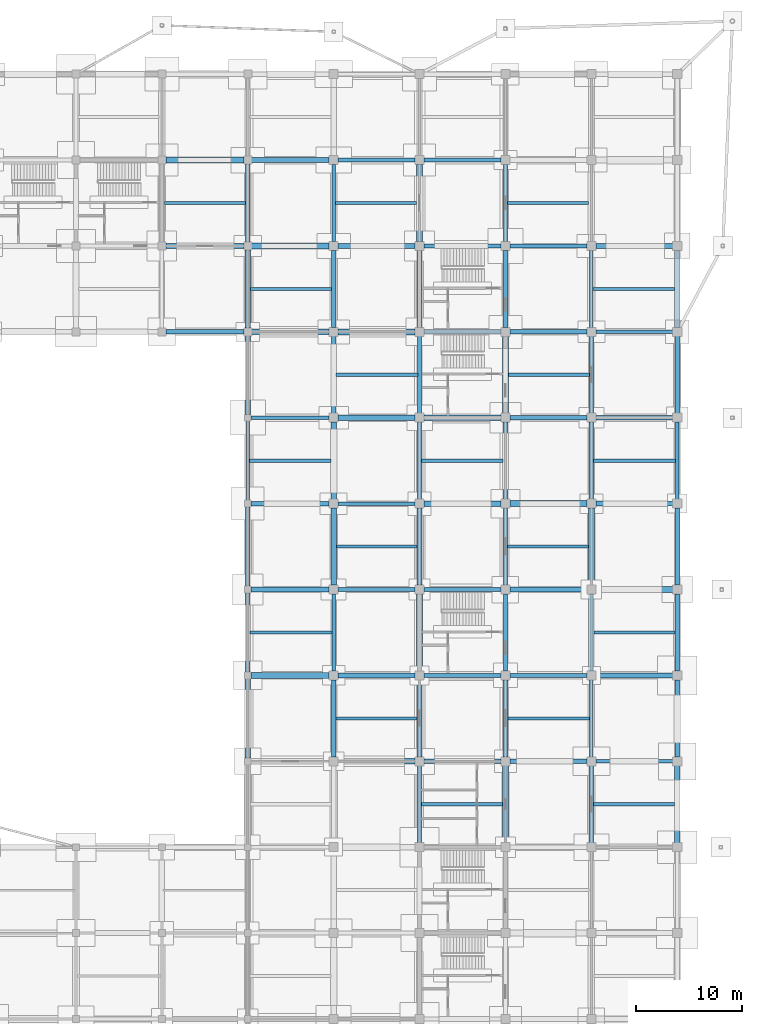
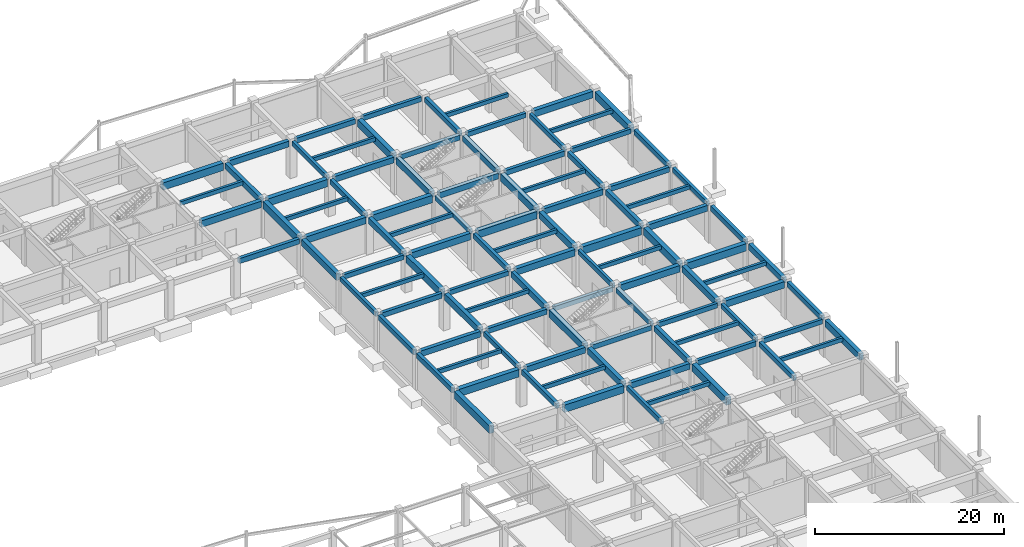
# One storey, part 41 of 67: 102 beams.
"""IFC4 building model written with IfcOpenShell, lengths in metres."""

from ifc_helpers import new_model, si_unit, direction, frame, origin, origin_2d, place, context, subcontext, project, spatial, rectangle, extrude, material, material_profile, profile_set, type_object, element, save


model = new_model("IFC4")

# Units and contexts
model_context = context("Model", 3, precision=1e-05, world=origin(), true_north=direction((0.0, 1.0)))
body_context = subcontext(model_context, "Body", "Model", "MODEL_VIEW")
ifc_project = project(units=[si_unit("LENGTHUNIT", "METRE"), si_unit("AREAUNIT", "SQUARE_METRE"), si_unit("VOLUMEUNIT", "CUBIC_METRE"), si_unit("PLANEANGLEUNIT", "RADIAN"), si_unit("MASSUNIT", "GRAM", prefix="KILO")], contexts=[model_context])

# Site, building, storey
site_placement = place(None, origin())
site = spatial("IfcSite", under=ifc_project, at=site_placement, CompositionType="ELEMENT")
building_placement = place(site_placement, origin())
building = spatial("IfcBuilding", under=site, at=building_placement, Name="Vaudrelin Polytechnic", CompositionType="ELEMENT")
storey_placement = place(building_placement, frame((0.0, 0.0, -5.10009765625)))
storey = spatial("IfcBuildingStorey", under=building, at=storey_placement, Name="B1", CompositionType="ELEMENT", Elevation=-5.10009765625)

# Beams
ifc_material_1 = material(Name="Concrete 40 MPa", Category="concrete")
ifc_material_profile_1 = material_profile(ifc_material_1, rectangle(XDim=0.35009765625, YDim=0.60009765625, at=origin_2d()), Name="RC350x600")
ifc_profile_set_1 = profile_set([ifc_material_profile_1], Name="Concrete 40 MPa")
beam_type_1 = type_object("IfcBeamType", Name="BM-BM-RC3560", PredefinedType="BEAM", material=ifc_profile_set_1)
beam_1_placement = place(storey_placement, frame((129.60009765625, 81.31005859375, 4.47998046875), z_axis=(0.0, 1.0, 0.0), x_axis=(-1.0, 0.0, 0.0)))
element("IfcBeam", 1, at=beam_1_placement, inside=storey, type_object=beam_type_1, Name="B1 Y-beam 17-11", PredefinedType="BEAM", context=body_context, shape_type="SweptSolid", body=[
    extrude(rectangle(XDim=0.35009765625, YDim=0.60009765625, at=origin_2d()), origin(), (0.0, 0.0, 1.0), 7.47998046875),
])
for number, where, z_axis, x_axis, name in (
    (2, (137.699951171875, 65.2099609375, 4.47998046875), (0.0, 1.0, 0.0), (-1.0, 0.0, 0.0), "B1 Y-beam 18-9"),
    (3, (137.699951171875, 105.7099609375, 4.47998046875), (0.0, 1.0, 0.0), (-1.0, 0.0, 0.0), "B1 Y-beam 18-14"),
    (4, (145.800048828125, 49.010009765625, 4.47998046875), (0.0, 1.0, 0.0), (-1.0, 0.0, 0.0), "B1 Y-beam 19-7"),
    (5, (145.800048828125, 89.510009765625, 4.47998046875), (0.0, 1.0, 0.0), (-1.0, 0.0, 0.0), "B1 Y-beam 19-12"),
    (6, (153.89990234375, 73.31005859375, 4.47998046875), (0.0, 1.0, 0.0), (-1.0, 0.0, 0.0), "B1 Y-beam 20-10"),
):
    element("IfcBeam", number, at=place(storey_placement, frame(where, z_axis=z_axis, x_axis=x_axis)), inside=storey, type_object=beam_type_1, Name=name, PredefinedType="BEAM", context=body_context, shape_type="SweptSolid", body=[
        extrude(rectangle(XDim=0.35009765625, YDim=0.60009765625, at=origin_2d()), origin(), (0.0, 0.0, 1.0), 7.280029296875),
    ])
for number, where, z_axis, x_axis, name in (
    (7, (162.0, 57.110107421875, 4.47998046875), (0.0, 1.0, 0.0), (-1.0, 0.0, 0.0), "B1 Y-beam 21-8"),
    (8, (162.0, 97.610107421875, 4.47998046875), (0.0, 1.0, 0.0), (-1.0, 0.0, 0.0), "B1 Y-beam 21-13"),
):
    element("IfcBeam", number, at=place(storey_placement, frame(where, z_axis=z_axis, x_axis=x_axis)), inside=storey, type_object=beam_type_1, Name=name, PredefinedType="BEAM", context=body_context, shape_type="SweptSolid", body=[
        extrude(rectangle(XDim=0.35009765625, YDim=0.60009765625, at=origin_2d()), origin(), (0.0, 0.0, 1.0), 7.27978515625),
    ])
beam_2_placement = place(storey_placement, frame((170.10009765625, 81.409912109375, 4.47998046875), z_axis=(0.0, 1.0, 0.0), x_axis=(-1.0, 0.0, 0.0)))
element("IfcBeam", 9, at=beam_2_placement, inside=storey, type_object=beam_type_1, Name="B1 Y-beam 22-11", PredefinedType="BEAM", context=body_context, shape_type="SweptSolid", body=[
    extrude(rectangle(XDim=0.35009765625, YDim=0.60009765625, at=origin_2d()), origin(), (0.0, 0.0, 1.0), 7.280029296875),
])
beam_3_placement = place(storey_placement, frame((129.9208984375, 89.10009765625, 4.47998046875), z_axis=(1.0, 0.0, 0.0), x_axis=(0.0, 1.0, 0.0)))
element("IfcBeam", 10, at=beam_3_placement, inside=storey, type_object=beam_type_1, Name="B1 X-beam 17-12", PredefinedType="BEAM", context=body_context, shape_type="SweptSolid", body=[
    extrude(rectangle(XDim=0.35009765625, YDim=0.60009765625, at=origin_2d()), origin(), (0.0, 0.0, 1.0), 7.358154296875),
])
beam_4_placement = place(storey_placement, frame((138.12109375, 81.0, 4.47998046875), z_axis=(1.0, 0.0, 0.0), x_axis=(0.0, 1.0, 0.0)))
element("IfcBeam", 11, at=beam_4_placement, inside=storey, type_object=beam_type_1, Name="B1 X-beam 18-11", PredefinedType="BEAM", context=body_context, shape_type="SweptSolid", body=[
    extrude(rectangle(XDim=0.35009765625, YDim=0.60009765625, at=origin_2d()), origin(), (0.0, 0.0, 1.0), 7.2578125),
])
for number, where, z_axis, x_axis, name in (
    (12, (146.220947265625, 72.89990234375, 4.47998046875), (1.0, 0.0, 0.0), (0.0, 1.0, 0.0), "B1 X-beam 19-10"),
    (13, (146.220947265625, 113.39990234375, 4.47998046875), (1.0, 0.0, 0.0), (0.0, 1.0, 0.0), "B1 X-beam 19-15"),
    (14, (154.321044921875, 64.800048828125, 4.47998046875), (1.0, 0.0, 0.0), (0.0, 1.0, 0.0), "B1 X-beam 20-9"),
    (15, (154.321044921875, 105.300048828125, 4.47998046875), (1.0, 0.0, 0.0), (0.0, 1.0, 0.0), "B1 X-beam 20-14"),
    (16, (162.4208984375, 56.699951171875, 4.47998046875), (1.0, 0.0, 0.0), (0.0, 1.0, 0.0), "B1 X-beam 21-8"),
    (17, (162.4208984375, 97.199951171875, 4.47998046875), (1.0, 0.0, 0.0), (0.0, 1.0, 0.0), "B1 X-beam 21-13"),
):
    element("IfcBeam", number, at=place(storey_placement, frame(where, z_axis=z_axis, x_axis=x_axis)), inside=storey, type_object=beam_type_1, Name=name, PredefinedType="BEAM", context=body_context, shape_type="SweptSolid", body=[
        extrude(rectangle(XDim=0.35009765625, YDim=0.60009765625, at=origin_2d()), origin(), (0.0, 0.0, 1.0), 7.258056640625),
    ])
ifc_material_profile_2 = material_profile(ifc_material_1, rectangle(XDim=0.39990234375, YDim=0.64990234375, at=origin_2d()), Name="RC400x650")
ifc_profile_set_2 = profile_set([ifc_material_profile_2], Name="Concrete 40 MPa")
beam_type_2 = type_object("IfcBeamType", Name="BM-BM-RC4065", PredefinedType="BEAM", material=ifc_profile_set_2)
beam_5_placement = place(storey_placement, frame((129.60009765625, 73.2099609375, 4.455078125), z_axis=(0.0, 1.0, 0.0), x_axis=(-1.0, 0.0, 0.0)))
element("IfcBeam", 18, at=beam_5_placement, inside=storey, type_object=beam_type_2, Name="B1 Y-beam 17-10", PredefinedType="BEAM", context=body_context, shape_type="SweptSolid", body=[
    extrude(rectangle(XDim=0.39990234375, YDim=0.64990234375, at=origin_2d()), origin(), (0.0, 0.0, 1.0), 7.47998046875),
])
for number, where, z_axis, x_axis, name in (
    (19, (137.699951171875, 57.110107421875, 4.455078125), (0.0, 1.0, 0.0), (-1.0, 0.0, 0.0), "B1 Y-beam 18-8"),
    (20, (137.699951171875, 97.610107421875, 4.455078125), (0.0, 1.0, 0.0), (-1.0, 0.0, 0.0), "B1 Y-beam 18-13"),
):
    element("IfcBeam", number, at=place(storey_placement, frame(where, z_axis=z_axis, x_axis=x_axis)), inside=storey, type_object=beam_type_2, Name=name, PredefinedType="BEAM", context=body_context, shape_type="SweptSolid", body=[
        extrude(rectangle(XDim=0.39990234375, YDim=0.64990234375, at=origin_2d()), origin(), (0.0, 0.0, 1.0), 7.27978515625),
    ])
for number, where, z_axis, x_axis, name in (
    (21, (145.800048828125, 81.409912109375, 4.455078125), (0.0, 1.0, 0.0), (-1.0, 0.0, 0.0), "B1 Y-beam 19-11"),
    (22, (153.89990234375, 65.2099609375, 4.455078125), (0.0, 1.0, 0.0), (-1.0, 0.0, 0.0), "B1 Y-beam 20-9"),
    (23, (153.89990234375, 105.7099609375, 4.455078125), (0.0, 1.0, 0.0), (-1.0, 0.0, 0.0), "B1 Y-beam 20-14"),
    (24, (162.0, 49.010009765625, 4.455078125), (0.0, 1.0, 0.0), (-1.0, 0.0, 0.0), "B1 Y-beam 21-7"),
    (25, (162.0, 89.510009765625, 4.455078125), (0.0, 1.0, 0.0), (-1.0, 0.0, 0.0), "B1 Y-beam 21-12"),
    (26, (170.10009765625, 73.31005859375, 4.455078125), (0.0, 1.0, 0.0), (-1.0, 0.0, 0.0), "B1 Y-beam 22-10"),
):
    element("IfcBeam", number, at=place(storey_placement, frame(where, z_axis=z_axis, x_axis=x_axis)), inside=storey, type_object=beam_type_2, Name=name, PredefinedType="BEAM", context=body_context, shape_type="SweptSolid", body=[
        extrude(rectangle(XDim=0.39990234375, YDim=0.64990234375, at=origin_2d()), origin(), (0.0, 0.0, 1.0), 7.280029296875),
    ])
beam_6_placement = place(storey_placement, frame((129.9208984375, 81.0, 4.455078125), z_axis=(1.0, 0.0, 0.0), x_axis=(0.0, 1.0, 0.0)))
element("IfcBeam", 27, at=beam_6_placement, inside=storey, type_object=beam_type_2, Name="B1 X-beam 17-11", PredefinedType="BEAM", context=body_context, shape_type="SweptSolid", body=[
    extrude(rectangle(XDim=0.39990234375, YDim=0.64990234375, at=origin_2d()), origin(), (0.0, 0.0, 1.0), 7.358154296875),
])
for number, where, z_axis, x_axis, name in (
    (28, (138.12109375, 72.89990234375, 4.455078125), (1.0, 0.0, 0.0), (0.0, 1.0, 0.0), "B1 X-beam 18-10"),
    (29, (138.12109375, 113.39990234375, 4.455078125), (1.0, 0.0, 0.0), (0.0, 1.0, 0.0), "B1 X-beam 18-15"),
):
    element("IfcBeam", number, at=place(storey_placement, frame(where, z_axis=z_axis, x_axis=x_axis)), inside=storey, type_object=beam_type_2, Name=name, PredefinedType="BEAM", context=body_context, shape_type="SweptSolid", body=[
        extrude(rectangle(XDim=0.39990234375, YDim=0.64990234375, at=origin_2d()), origin(), (0.0, 0.0, 1.0), 7.2578125),
    ])
for number, where, z_axis, x_axis, name in (
    (30, (146.220947265625, 64.800048828125, 4.455078125), (1.0, 0.0, 0.0), (0.0, 1.0, 0.0), "B1 X-beam 19-9"),
    (31, (146.220947265625, 105.300048828125, 4.455078125), (1.0, 0.0, 0.0), (0.0, 1.0, 0.0), "B1 X-beam 19-14"),
    (32, (154.321044921875, 56.699951171875, 4.455078125), (1.0, 0.0, 0.0), (0.0, 1.0, 0.0), "B1 X-beam 20-8"),
    (33, (154.321044921875, 97.199951171875, 4.455078125), (1.0, 0.0, 0.0), (0.0, 1.0, 0.0), "B1 X-beam 20-13"),
    (34, (162.4208984375, 89.10009765625, 4.455078125), (1.0, 0.0, 0.0), (0.0, 1.0, 0.0), "B1 X-beam 21-12"),
):
    element("IfcBeam", number, at=place(storey_placement, frame(where, z_axis=z_axis, x_axis=x_axis)), inside=storey, type_object=beam_type_2, Name=name, PredefinedType="BEAM", context=body_context, shape_type="SweptSolid", body=[
        extrude(rectangle(XDim=0.39990234375, YDim=0.64990234375, at=origin_2d()), origin(), (0.0, 0.0, 1.0), 7.258056640625),
    ])
ifc_material_profile_3 = material_profile(ifc_material_1, rectangle(XDim=0.449951171875, YDim=0.75, at=origin_2d()), Name="RC450x750")
ifc_profile_set_3 = profile_set([ifc_material_profile_3], Name="Concrete 40 MPa")
beam_type_3 = type_object("IfcBeamType", Name="BM-BM-RC4575", PredefinedType="BEAM", material=ifc_profile_set_3)
beam_7_placement = place(storey_placement, frame((129.60009765625, 105.659912109375, 4.405029296875), z_axis=(0.0, 1.0, 0.0), x_axis=(-1.0, 0.0, 0.0)))
element("IfcBeam", 35, at=beam_7_placement, inside=storey, type_object=beam_type_3, Name="B1 Y-beam 17-14", PredefinedType="BEAM", context=body_context, shape_type="SweptSolid", body=[
    extrude(rectangle(XDim=0.449951171875, YDim=0.75, at=origin_2d()), origin(), (0.0, 0.0, 1.0), 7.380126953125),
])
for number, where, z_axis, x_axis, name in (
    (36, (137.699951171875, 89.510009765625, 4.405029296875), (0.0, 1.0, 0.0), (-1.0, 0.0, 0.0), "B1 Y-beam 18-12"),
    (37, (145.800048828125, 73.31005859375, 4.405029296875), (0.0, 1.0, 0.0), (-1.0, 0.0, 0.0), "B1 Y-beam 19-10"),
):
    element("IfcBeam", number, at=place(storey_placement, frame(where, z_axis=z_axis, x_axis=x_axis)), inside=storey, type_object=beam_type_3, Name=name, PredefinedType="BEAM", context=body_context, shape_type="SweptSolid", body=[
        extrude(rectangle(XDim=0.449951171875, YDim=0.75, at=origin_2d()), origin(), (0.0, 0.0, 1.0), 7.280029296875),
    ])
for number, where, z_axis, x_axis, name in (
    (38, (153.89990234375, 57.110107421875, 4.405029296875), (0.0, 1.0, 0.0), (-1.0, 0.0, 0.0), "B1 Y-beam 20-8"),
    (39, (153.89990234375, 97.610107421875, 4.405029296875), (0.0, 1.0, 0.0), (-1.0, 0.0, 0.0), "B1 Y-beam 20-13"),
):
    element("IfcBeam", number, at=place(storey_placement, frame(where, z_axis=z_axis, x_axis=x_axis)), inside=storey, type_object=beam_type_3, Name=name, PredefinedType="BEAM", context=body_context, shape_type="SweptSolid", body=[
        extrude(rectangle(XDim=0.449951171875, YDim=0.75, at=origin_2d()), origin(), (0.0, 0.0, 1.0), 7.27978515625),
    ])
for number, where, z_axis, x_axis, name in (
    (40, (162.0, 81.409912109375, 4.405029296875), (0.0, 1.0, 0.0), (-1.0, 0.0, 0.0), "B1 Y-beam 21-11"),
    (41, (170.10009765625, 65.2099609375, 4.405029296875), (0.0, 1.0, 0.0), (-1.0, 0.0, 0.0), "B1 Y-beam 22-9"),
):
    element("IfcBeam", number, at=place(storey_placement, frame(where, z_axis=z_axis, x_axis=x_axis)), inside=storey, type_object=beam_type_3, Name=name, PredefinedType="BEAM", context=body_context, shape_type="SweptSolid", body=[
        extrude(rectangle(XDim=0.449951171875, YDim=0.75, at=origin_2d()), origin(), (0.0, 0.0, 1.0), 7.280029296875),
    ])
beam_8_placement = place(storey_placement, frame((129.9208984375, 72.89990234375, 4.405029296875), z_axis=(1.0, 0.0, 0.0), x_axis=(0.0, 1.0, 0.0)))
element("IfcBeam", 42, at=beam_8_placement, inside=storey, type_object=beam_type_3, Name="B1 X-beam 17-10", PredefinedType="BEAM", context=body_context, shape_type="SweptSolid", body=[
    extrude(rectangle(XDim=0.449951171875, YDim=0.75, at=origin_2d()), origin(), (0.0, 0.0, 1.0), 7.358154296875),
])
beam_9_placement = place(storey_placement, frame((129.970947265625, 113.39990234375, 4.405029296875), z_axis=(1.0, 0.0, 0.0), x_axis=(0.0, 1.0, 0.0)))
element("IfcBeam", 43, at=beam_9_placement, inside=storey, type_object=beam_type_3, Name="B1 X-beam 17-15", PredefinedType="BEAM", context=body_context, shape_type="SweptSolid", body=[
    extrude(rectangle(XDim=0.449951171875, YDim=0.75, at=origin_2d()), origin(), (0.0, 0.0, 1.0), 7.30810546875),
])
for number, where, z_axis, x_axis, name in (
    (44, (138.12109375, 64.800048828125, 4.405029296875), (1.0, 0.0, 0.0), (0.0, 1.0, 0.0), "B1 X-beam 18-9"),
    (45, (138.12109375, 105.300048828125, 4.405029296875), (1.0, 0.0, 0.0), (0.0, 1.0, 0.0), "B1 X-beam 18-14"),
):
    element("IfcBeam", number, at=place(storey_placement, frame(where, z_axis=z_axis, x_axis=x_axis)), inside=storey, type_object=beam_type_3, Name=name, PredefinedType="BEAM", context=body_context, shape_type="SweptSolid", body=[
        extrude(rectangle(XDim=0.449951171875, YDim=0.75, at=origin_2d()), origin(), (0.0, 0.0, 1.0), 7.2578125),
    ])
for number, where, z_axis, x_axis, name in (
    (46, (146.220947265625, 56.699951171875, 4.405029296875), (1.0, 0.0, 0.0), (0.0, 1.0, 0.0), "B1 X-beam 19-8"),
    (47, (146.220947265625, 97.199951171875, 4.405029296875), (1.0, 0.0, 0.0), (0.0, 1.0, 0.0), "B1 X-beam 19-13"),
    (48, (154.321044921875, 89.10009765625, 4.405029296875), (1.0, 0.0, 0.0), (0.0, 1.0, 0.0), "B1 X-beam 20-12"),
    (49, (162.4208984375, 81.0, 4.405029296875), (1.0, 0.0, 0.0), (0.0, 1.0, 0.0), "B1 X-beam 21-11"),
):
    element("IfcBeam", number, at=place(storey_placement, frame(where, z_axis=z_axis, x_axis=x_axis)), inside=storey, type_object=beam_type_3, Name=name, PredefinedType="BEAM", context=body_context, shape_type="SweptSolid", body=[
        extrude(rectangle(XDim=0.449951171875, YDim=0.75, at=origin_2d()), origin(), (0.0, 0.0, 1.0), 7.258056640625),
    ])
ifc_material_profile_4 = material_profile(ifc_material_1, rectangle(XDim=0.5, YDim=0.85009765625, at=origin_2d()), Name="RC500x850")
ifc_profile_set_4 = profile_set([ifc_material_profile_4], Name="Concrete 40 MPa")
beam_type_4 = type_object("IfcBeamType", Name="BM-BM-RC5085", PredefinedType="BEAM", material=ifc_profile_set_4)
beam_10_placement = place(storey_placement, frame((129.60009765625, 89.409912109375, 4.35498046875), z_axis=(0.0, 1.0, 0.0), x_axis=(-1.0, 0.0, 0.0)))
element("IfcBeam", 50, at=beam_10_placement, inside=storey, type_object=beam_type_4, Name="B1 Y-beam 17-12", PredefinedType="BEAM", context=body_context, shape_type="SweptSolid", body=[
    extrude(rectangle(XDim=0.5, YDim=0.85009765625, at=origin_2d()), origin(), (0.0, 0.0, 1.0), 7.43017578125),
])
beam_11_placement = place(storey_placement, frame((137.699951171875, 73.31005859375, 4.35498046875), z_axis=(0.0, 1.0, 0.0), x_axis=(-1.0, 0.0, 0.0)))
element("IfcBeam", 51, at=beam_11_placement, inside=storey, type_object=beam_type_4, Name="B1 Y-beam 18-10", PredefinedType="BEAM", context=body_context, shape_type="SweptSolid", body=[
    extrude(rectangle(XDim=0.5, YDim=0.85009765625, at=origin_2d()), origin(), (0.0, 0.0, 1.0), 7.280029296875),
])
for number, where, z_axis, x_axis, name in (
    (52, (145.800048828125, 57.110107421875, 4.35498046875), (0.0, 1.0, 0.0), (-1.0, 0.0, 0.0), "B1 Y-beam 19-8"),
    (53, (145.800048828125, 97.610107421875, 4.35498046875), (0.0, 1.0, 0.0), (-1.0, 0.0, 0.0), "B1 Y-beam 19-13"),
):
    element("IfcBeam", number, at=place(storey_placement, frame(where, z_axis=z_axis, x_axis=x_axis)), inside=storey, type_object=beam_type_4, Name=name, PredefinedType="BEAM", context=body_context, shape_type="SweptSolid", body=[
        extrude(rectangle(XDim=0.5, YDim=0.85009765625, at=origin_2d()), origin(), (0.0, 0.0, 1.0), 7.27978515625),
    ])
for number, where, z_axis, x_axis, name in (
    (54, (153.89990234375, 81.409912109375, 4.35498046875), (0.0, 1.0, 0.0), (-1.0, 0.0, 0.0), "B1 Y-beam 20-11"),
    (55, (162.0, 65.2099609375, 4.35498046875), (0.0, 1.0, 0.0), (-1.0, 0.0, 0.0), "B1 Y-beam 21-9"),
    (56, (170.10009765625, 49.010009765625, 4.35498046875), (0.0, 1.0, 0.0), (-1.0, 0.0, 0.0), "B1 Y-beam 22-7"),
):
    element("IfcBeam", number, at=place(storey_placement, frame(where, z_axis=z_axis, x_axis=x_axis)), inside=storey, type_object=beam_type_4, Name=name, PredefinedType="BEAM", context=body_context, shape_type="SweptSolid", body=[
        extrude(rectangle(XDim=0.5, YDim=0.85009765625, at=origin_2d()), origin(), (0.0, 0.0, 1.0), 7.280029296875),
    ])
beam_12_placement = place(storey_placement, frame((121.87109375, 105.300048828125, 4.35498046875), z_axis=(1.0, 0.0, 0.0), x_axis=(0.0, 1.0, 0.0)))
element("IfcBeam", 57, at=beam_12_placement, inside=storey, type_object=beam_type_4, Name="B1 X-beam 16-14", PredefinedType="BEAM", context=body_context, shape_type="SweptSolid", body=[
    extrude(rectangle(XDim=0.5, YDim=0.85009765625, at=origin_2d()), origin(), (0.0, 0.0, 1.0), 7.35791015625),
])
beam_13_placement = place(storey_placement, frame((129.970947265625, 97.199951171875, 4.35498046875), z_axis=(1.0, 0.0, 0.0), x_axis=(0.0, 1.0, 0.0)))
element("IfcBeam", 58, at=beam_13_placement, inside=storey, type_object=beam_type_4, Name="B1 X-beam 17-13", PredefinedType="BEAM", context=body_context, shape_type="SweptSolid", body=[
    extrude(rectangle(XDim=0.5, YDim=0.85009765625, at=origin_2d()), origin(), (0.0, 0.0, 1.0), 7.30810546875),
])
beam_14_placement = place(storey_placement, frame((138.12109375, 89.10009765625, 4.35498046875), z_axis=(1.0, 0.0, 0.0), x_axis=(0.0, 1.0, 0.0)))
element("IfcBeam", 59, at=beam_14_placement, inside=storey, type_object=beam_type_4, Name="B1 X-beam 18-12", PredefinedType="BEAM", context=body_context, shape_type="SweptSolid", body=[
    extrude(rectangle(XDim=0.5, YDim=0.85009765625, at=origin_2d()), origin(), (0.0, 0.0, 1.0), 7.2578125),
])
for number, where, z_axis, x_axis, name in (
    (60, (146.220947265625, 81.0, 4.35498046875), (1.0, 0.0, 0.0), (0.0, 1.0, 0.0), "B1 X-beam 19-11"),
    (61, (154.321044921875, 72.89990234375, 4.35498046875), (1.0, 0.0, 0.0), (0.0, 1.0, 0.0), "B1 X-beam 20-10"),
    (62, (162.4208984375, 64.800048828125, 4.35498046875), (1.0, 0.0, 0.0), (0.0, 1.0, 0.0), "B1 X-beam 21-9"),
    (63, (162.4208984375, 105.300048828125, 4.35498046875), (1.0, 0.0, 0.0), (0.0, 1.0, 0.0), "B1 X-beam 21-14"),
):
    element("IfcBeam", number, at=place(storey_placement, frame(where, z_axis=z_axis, x_axis=x_axis)), inside=storey, type_object=beam_type_4, Name=name, PredefinedType="BEAM", context=body_context, shape_type="SweptSolid", body=[
        extrude(rectangle(XDim=0.5, YDim=0.85009765625, at=origin_2d()), origin(), (0.0, 0.0, 1.0), 7.258056640625),
    ])
ifc_material_2 = material(Name="Concrete 50 MPa", Category="concrete")
ifc_material_profile_5 = material_profile(ifc_material_2, rectangle(XDim=0.550048828125, YDim=0.949951171875, at=origin_2d()), Name="RC550x950")
ifc_profile_set_5 = profile_set([ifc_material_profile_5], Name="Concrete 50 MPa")
beam_type_5 = type_object("IfcBeamType", Name="BM-BM-RC5595", PredefinedType="BEAM", material=ifc_profile_set_5)
beam_15_placement = place(storey_placement, frame((129.60009765625, 57.010009765625, 4.30517578125), z_axis=(0.0, 1.0, 0.0), x_axis=(-1.0, 0.0, 0.0)))
element("IfcBeam", 64, at=beam_15_placement, inside=storey, type_object=beam_type_5, Name="B1 Y-beam 17-8", PredefinedType="BEAM", context=body_context, shape_type="SweptSolid", body=[
    extrude(rectangle(XDim=0.550048828125, YDim=0.949951171875, at=origin_2d()), origin(), (0.0, 0.0, 1.0), 7.47998046875),
])
beam_16_placement = place(storey_placement, frame((129.60009765625, 97.56005859375, 4.30517578125), z_axis=(0.0, 1.0, 0.0), x_axis=(-1.0, 0.0, 0.0)))
element("IfcBeam", 65, at=beam_16_placement, inside=storey, type_object=beam_type_5, Name="B1 Y-beam 17-13", PredefinedType="BEAM", context=body_context, shape_type="SweptSolid", body=[
    extrude(rectangle(XDim=0.550048828125, YDim=0.949951171875, at=origin_2d()), origin(), (0.0, 0.0, 1.0), 7.3798828125),
])
for number, where, z_axis, x_axis, name in (
    (66, (137.699951171875, 81.409912109375, 4.30517578125), (0.0, 1.0, 0.0), (-1.0, 0.0, 0.0), "B1 Y-beam 18-11"),
    (67, (145.800048828125, 65.2099609375, 4.30517578125), (0.0, 1.0, 0.0), (-1.0, 0.0, 0.0), "B1 Y-beam 19-9"),
    (68, (145.800048828125, 105.7099609375, 4.30517578125), (0.0, 1.0, 0.0), (-1.0, 0.0, 0.0), "B1 Y-beam 19-14"),
    (69, (153.89990234375, 49.010009765625, 4.30517578125), (0.0, 1.0, 0.0), (-1.0, 0.0, 0.0), "B1 Y-beam 20-7"),
    (70, (153.89990234375, 89.510009765625, 4.30517578125), (0.0, 1.0, 0.0), (-1.0, 0.0, 0.0), "B1 Y-beam 20-12"),
    (71, (162.0, 73.31005859375, 4.30517578125), (0.0, 1.0, 0.0), (-1.0, 0.0, 0.0), "B1 Y-beam 21-10"),
):
    element("IfcBeam", number, at=place(storey_placement, frame(where, z_axis=z_axis, x_axis=x_axis)), inside=storey, type_object=beam_type_5, Name=name, PredefinedType="BEAM", context=body_context, shape_type="SweptSolid", body=[
        extrude(rectangle(XDim=0.550048828125, YDim=0.949951171875, at=origin_2d()), origin(), (0.0, 0.0, 1.0), 7.280029296875),
    ])
beam_17_placement = place(storey_placement, frame((170.10009765625, 97.610107421875, 4.30517578125), z_axis=(0.0, 1.0, 0.0), x_axis=(-1.0, 0.0, 0.0)))
element("IfcBeam", 72, at=beam_17_placement, inside=storey, type_object=beam_type_5, Name="B1 Y-beam 22-13", PredefinedType="BEAM", context=body_context, shape_type="SweptSolid", body=[
    extrude(rectangle(XDim=0.550048828125, YDim=0.949951171875, at=origin_2d()), origin(), (0.0, 0.0, 1.0), 7.27978515625),
])
beam_18_placement = place(storey_placement, frame((121.87109375, 113.39990234375, 4.30517578125), z_axis=(1.0, 0.0, 0.0), x_axis=(0.0, 1.0, 0.0)))
element("IfcBeam", 73, at=beam_18_placement, inside=storey, type_object=beam_type_5, Name="B1 X-beam 16-15", PredefinedType="BEAM", context=body_context, shape_type="SweptSolid", body=[
    extrude(rectangle(XDim=0.550048828125, YDim=0.949951171875, at=origin_2d()), origin(), (0.0, 0.0, 1.0), 7.35791015625),
])
beam_19_placement = place(storey_placement, frame((129.9208984375, 64.800048828125, 4.30517578125), z_axis=(1.0, 0.0, 0.0), x_axis=(0.0, 1.0, 0.0)))
element("IfcBeam", 74, at=beam_19_placement, inside=storey, type_object=beam_type_5, Name="B1 X-beam 17-9", PredefinedType="BEAM", context=body_context, shape_type="SweptSolid", body=[
    extrude(rectangle(XDim=0.550048828125, YDim=0.949951171875, at=origin_2d()), origin(), (0.0, 0.0, 1.0), 7.358154296875),
])
beam_20_placement = place(storey_placement, frame((129.970947265625, 105.300048828125, 4.30517578125), z_axis=(1.0, 0.0, 0.0), x_axis=(0.0, 1.0, 0.0)))
element("IfcBeam", 75, at=beam_20_placement, inside=storey, type_object=beam_type_5, Name="B1 X-beam 17-14", PredefinedType="BEAM", context=body_context, shape_type="SweptSolid", body=[
    extrude(rectangle(XDim=0.550048828125, YDim=0.949951171875, at=origin_2d()), origin(), (0.0, 0.0, 1.0), 7.30810546875),
])
for number, where, z_axis, x_axis, name in (
    (76, (138.12109375, 56.699951171875, 4.30517578125), (1.0, 0.0, 0.0), (0.0, 1.0, 0.0), "B1 X-beam 18-8"),
    (77, (138.12109375, 97.199951171875, 4.30517578125), (1.0, 0.0, 0.0), (0.0, 1.0, 0.0), "B1 X-beam 18-13"),
):
    element("IfcBeam", number, at=place(storey_placement, frame(where, z_axis=z_axis, x_axis=x_axis)), inside=storey, type_object=beam_type_5, Name=name, PredefinedType="BEAM", context=body_context, shape_type="SweptSolid", body=[
        extrude(rectangle(XDim=0.550048828125, YDim=0.949951171875, at=origin_2d()), origin(), (0.0, 0.0, 1.0), 7.2578125),
    ])
for number, where, z_axis, x_axis, name in (
    (78, (146.220947265625, 89.10009765625, 4.30517578125), (1.0, 0.0, 0.0), (0.0, 1.0, 0.0), "B1 X-beam 19-12"),
    (79, (154.321044921875, 81.0, 4.30517578125), (1.0, 0.0, 0.0), (0.0, 1.0, 0.0), "B1 X-beam 20-11"),
    (80, (162.4208984375, 72.89990234375, 4.30517578125), (1.0, 0.0, 0.0), (0.0, 1.0, 0.0), "B1 X-beam 21-10"),
):
    element("IfcBeam", number, at=place(storey_placement, frame(where, z_axis=z_axis, x_axis=x_axis)), inside=storey, type_object=beam_type_5, Name=name, PredefinedType="BEAM", context=body_context, shape_type="SweptSolid", body=[
        extrude(rectangle(XDim=0.550048828125, YDim=0.949951171875, at=origin_2d()), origin(), (0.0, 0.0, 1.0), 7.258056640625),
    ])
ifc_material_profile_6 = material_profile(ifc_material_1, rectangle(XDim=0.300048828125, YDim=0.5, at=origin_2d()), Name="RC300x500")
ifc_profile_set_6 = profile_set([ifc_material_profile_6], Name="Concrete 40 MPa")
beam_type_6 = type_object("IfcBeamType", Name="BM-JS-RC3050", PredefinedType="JOIST", material=ifc_profile_set_6)
beam_21_placement = place(storey_placement, frame((121.74609375, 109.35009765625, 4.530029296875), z_axis=(1.0, 0.0, 0.0), x_axis=(0.0, 1.0, 0.0)))
element("IfcBeam", 81, at=beam_21_placement, inside=storey, type_object=beam_type_6, Name="B1 floor joist 16-14", PredefinedType="JOIST", context=body_context, shape_type="SweptSolid", body=[
    extrude(rectangle(XDim=0.300048828125, YDim=0.5, at=origin_2d()), origin(), (0.0, 0.0, 1.0), 7.6328125),
])
beam_22_placement = place(storey_placement, frame((129.7958984375, 68.85009765625, 4.530029296875), z_axis=(1.0, 0.0, 0.0), x_axis=(0.0, 1.0, 0.0)))
element("IfcBeam", 82, at=beam_22_placement, inside=storey, type_object=beam_type_6, Name="B1 floor joist 17-9", PredefinedType="JOIST", context=body_context, shape_type="SweptSolid", body=[
    extrude(rectangle(XDim=0.300048828125, YDim=0.5, at=origin_2d()), origin(), (0.0, 0.0, 1.0), 7.733154296875),
])
beam_23_placement = place(storey_placement, frame((129.77099609375, 85.050048828125, 4.530029296875), z_axis=(1.0, 0.0, 0.0), x_axis=(0.0, 1.0, 0.0)))
element("IfcBeam", 83, at=beam_23_placement, inside=storey, type_object=beam_type_6, Name="B1 floor joist 17-11", PredefinedType="JOIST", context=body_context, shape_type="SweptSolid", body=[
    extrude(rectangle(XDim=0.300048828125, YDim=0.5, at=origin_2d()), origin(), (0.0, 0.0, 1.0), 7.657958984375),
])
beam_24_placement = place(storey_placement, frame((129.87109375, 101.25, 4.530029296875), z_axis=(1.0, 0.0, 0.0), x_axis=(0.0, 1.0, 0.0)))
element("IfcBeam", 84, at=beam_24_placement, inside=storey, type_object=beam_type_6, Name="B1 floor joist 17-13", PredefinedType="JOIST", context=body_context, shape_type="SweptSolid", body=[
    extrude(rectangle(XDim=0.300048828125, YDim=0.5, at=origin_2d()), origin(), (0.0, 0.0, 1.0), 7.6328125),
])
beam_25_placement = place(storey_placement, frame((137.89599609375, 60.75, 4.530029296875), z_axis=(1.0, 0.0, 0.0), x_axis=(0.0, 1.0, 0.0)))
element("IfcBeam", 85, at=beam_25_placement, inside=storey, type_object=beam_type_6, Name="B1 floor joist 18-8", PredefinedType="JOIST", context=body_context, shape_type="SweptSolid", body=[
    extrude(rectangle(XDim=0.300048828125, YDim=0.5, at=origin_2d()), origin(), (0.0, 0.0, 1.0), 7.657958984375),
])
beam_26_placement = place(storey_placement, frame((137.946044921875, 76.949951171875, 4.530029296875), z_axis=(1.0, 0.0, 0.0), x_axis=(0.0, 1.0, 0.0)))
element("IfcBeam", 86, at=beam_26_placement, inside=storey, type_object=beam_type_6, Name="B1 floor joist 18-10", PredefinedType="JOIST", context=body_context, shape_type="SweptSolid", body=[
    extrude(rectangle(XDim=0.300048828125, YDim=0.5, at=origin_2d()), origin(), (0.0, 0.0, 1.0), 7.633056640625),
])
beam_27_placement = place(storey_placement, frame((137.9208984375, 93.14990234375, 4.530029296875), z_axis=(1.0, 0.0, 0.0), x_axis=(0.0, 1.0, 0.0)))
element("IfcBeam", 87, at=beam_27_placement, inside=storey, type_object=beam_type_6, Name="B1 floor joist 18-12", PredefinedType="JOIST", context=body_context, shape_type="SweptSolid", body=[
    extrude(rectangle(XDim=0.300048828125, YDim=0.5, at=origin_2d()), origin(), (0.0, 0.0, 1.0), 7.7080078125),
])
for number, where, z_axis, x_axis, name in (
    (88, (137.87109375, 109.35009765625, 4.530029296875), (1.0, 0.0, 0.0), (0.0, 1.0, 0.0), "B1 floor joist 18-14"),
    (89, (145.970947265625, 52.64990234375, 4.530029296875), (1.0, 0.0, 0.0), (0.0, 1.0, 0.0), "B1 floor joist 19-7"),
    (90, (145.99609375, 85.050048828125, 4.530029296875), (1.0, 0.0, 0.0), (0.0, 1.0, 0.0), "B1 floor joist 19-11"),
):
    element("IfcBeam", number, at=place(storey_placement, frame(where, z_axis=z_axis, x_axis=x_axis)), inside=storey, type_object=beam_type_6, Name=name, PredefinedType="JOIST", context=body_context, shape_type="SweptSolid", body=[
        extrude(rectangle(XDim=0.300048828125, YDim=0.5, at=origin_2d()), origin(), (0.0, 0.0, 1.0), 7.657958984375),
    ])
beam_28_placement = place(storey_placement, frame((154.12109375, 60.75, 4.530029296875), z_axis=(1.0, 0.0, 0.0), x_axis=(0.0, 1.0, 0.0)))
element("IfcBeam", 91, at=beam_28_placement, inside=storey, type_object=beam_type_6, Name="B1 floor joist 20-8", PredefinedType="JOIST", context=body_context, shape_type="SweptSolid", body=[
    extrude(rectangle(XDim=0.300048828125, YDim=0.5, at=origin_2d()), origin(), (0.0, 0.0, 1.0), 7.7080078125),
])
beam_29_placement = place(storey_placement, frame((154.071044921875, 76.949951171875, 4.530029296875), z_axis=(1.0, 0.0, 0.0), x_axis=(0.0, 1.0, 0.0)))
element("IfcBeam", 92, at=beam_29_placement, inside=storey, type_object=beam_type_6, Name="B1 floor joist 20-10", PredefinedType="JOIST", context=body_context, shape_type="SweptSolid", body=[
    extrude(rectangle(XDim=0.300048828125, YDim=0.5, at=origin_2d()), origin(), (0.0, 0.0, 1.0), 7.657958984375),
])
beam_30_placement = place(storey_placement, frame((154.1708984375, 93.14990234375, 4.530029296875), z_axis=(1.0, 0.0, 0.0), x_axis=(0.0, 1.0, 0.0)))
element("IfcBeam", 93, at=beam_30_placement, inside=storey, type_object=beam_type_6, Name="B1 floor joist 20-12", PredefinedType="JOIST", context=body_context, shape_type="SweptSolid", body=[
    extrude(rectangle(XDim=0.300048828125, YDim=0.5, at=origin_2d()), origin(), (0.0, 0.0, 1.0), 7.633056640625),
])
for number, where, z_axis, x_axis, name in (
    (94, (154.095947265625, 109.35009765625, 4.530029296875), (1.0, 0.0, 0.0), (0.0, 1.0, 0.0), "B1 floor joist 20-14"),
    (95, (162.196044921875, 52.64990234375, 4.530029296875), (1.0, 0.0, 0.0), (0.0, 1.0, 0.0), "B1 floor joist 21-7"),
):
    element("IfcBeam", number, at=place(storey_placement, frame(where, z_axis=z_axis, x_axis=x_axis)), inside=storey, type_object=beam_type_6, Name=name, PredefinedType="JOIST", context=body_context, shape_type="SweptSolid", body=[
        extrude(rectangle(XDim=0.300048828125, YDim=0.5, at=origin_2d()), origin(), (0.0, 0.0, 1.0), 7.657958984375),
    ])
beam_31_placement = place(storey_placement, frame((162.24609375, 68.85009765625, 4.530029296875), z_axis=(1.0, 0.0, 0.0), x_axis=(0.0, 1.0, 0.0)))
element("IfcBeam", 96, at=beam_31_placement, inside=storey, type_object=beam_type_6, Name="B1 floor joist 21-9", PredefinedType="JOIST", context=body_context, shape_type="SweptSolid", body=[
    extrude(rectangle(XDim=0.300048828125, YDim=0.5, at=origin_2d()), origin(), (0.0, 0.0, 1.0), 7.6328125),
])
beam_32_placement = place(storey_placement, frame((162.220947265625, 85.050048828125, 4.530029296875), z_axis=(1.0, 0.0, 0.0), x_axis=(0.0, 1.0, 0.0)))
element("IfcBeam", 97, at=beam_32_placement, inside=storey, type_object=beam_type_6, Name="B1 floor joist 21-11", PredefinedType="JOIST", context=body_context, shape_type="SweptSolid", body=[
    extrude(rectangle(XDim=0.300048828125, YDim=0.5, at=origin_2d()), origin(), (0.0, 0.0, 1.0), 7.7080078125),
])
beam_33_placement = place(storey_placement, frame((162.1708984375, 101.25, 4.530029296875), z_axis=(1.0, 0.0, 0.0), x_axis=(0.0, 1.0, 0.0)))
element("IfcBeam", 98, at=beam_33_placement, inside=storey, type_object=beam_type_6, Name="B1 floor joist 21-13", PredefinedType="JOIST", context=body_context, shape_type="SweptSolid", body=[
    extrude(rectangle(XDim=0.300048828125, YDim=0.5, at=origin_2d()), origin(), (0.0, 0.0, 1.0), 7.658203125),
])
ifc_material_profile_7 = material_profile(ifc_material_1, rectangle(XDim=0.39990234375, YDim=0.64990234375, at=origin_2d()), Name="RC400x650")
ifc_profile_set_7 = profile_set([ifc_material_profile_7], Name="Concrete 40 MPa")
beam_type_7 = type_object("IfcBeamType", Name="BM-SP-RC4065", PredefinedType="SPANDREL", material=ifc_profile_set_7)
beam_34_placement = place(storey_placement, frame((129.60009765625, 65.110107421875, 4.455078125), z_axis=(0.0, 1.0, 0.0), x_axis=(-1.0, 0.0, 0.0)))
element("IfcBeam", 99, at=beam_34_placement, inside=storey, type_object=beam_type_7, Name="B1 Y-beam 17-9", PredefinedType="SPANDREL", context=body_context, shape_type="SweptSolid", body=[
    extrude(rectangle(XDim=0.39990234375, YDim=0.64990234375, at=origin_2d()), origin(), (0.0, 0.0, 1.0), 7.47998046875),
])
beam_35_placement = place(storey_placement, frame((170.10009765625, 57.110107421875, 4.455078125), z_axis=(0.0, 1.0, 0.0), x_axis=(-1.0, 0.0, 0.0)))
element("IfcBeam", 100, at=beam_35_placement, inside=storey, type_object=beam_type_7, Name="B1 Y-beam 22-8", PredefinedType="SPANDREL", context=body_context, shape_type="SweptSolid", body=[
    extrude(rectangle(XDim=0.39990234375, YDim=0.64990234375, at=origin_2d()), origin(), (0.0, 0.0, 1.0), 7.27978515625),
])
beam_36_placement = place(storey_placement, frame((170.10009765625, 89.510009765625, 4.455078125), z_axis=(0.0, 1.0, 0.0), x_axis=(-1.0, 0.0, 0.0)))
element("IfcBeam", 101, at=beam_36_placement, inside=storey, type_object=beam_type_7, Name="B1 Y-beam 22-12", PredefinedType="SPANDREL", context=body_context, shape_type="SweptSolid", body=[
    extrude(rectangle(XDim=0.39990234375, YDim=0.64990234375, at=origin_2d()), origin(), (0.0, 0.0, 1.0), 7.280029296875),
])
beam_37_placement = place(storey_placement, frame((121.87109375, 97.199951171875, 4.455078125), z_axis=(1.0, 0.0, 0.0), x_axis=(0.0, 1.0, 0.0)))
element("IfcBeam", 102, at=beam_37_placement, inside=storey, type_object=beam_type_7, Name="B1 X-beam 16-13", PredefinedType="SPANDREL", context=body_context, shape_type="SweptSolid", body=[
    extrude(rectangle(XDim=0.39990234375, YDim=0.64990234375, at=origin_2d()), origin(), (0.0, 0.0, 1.0), 7.35791015625),
])

save(model, "model.ifc")
